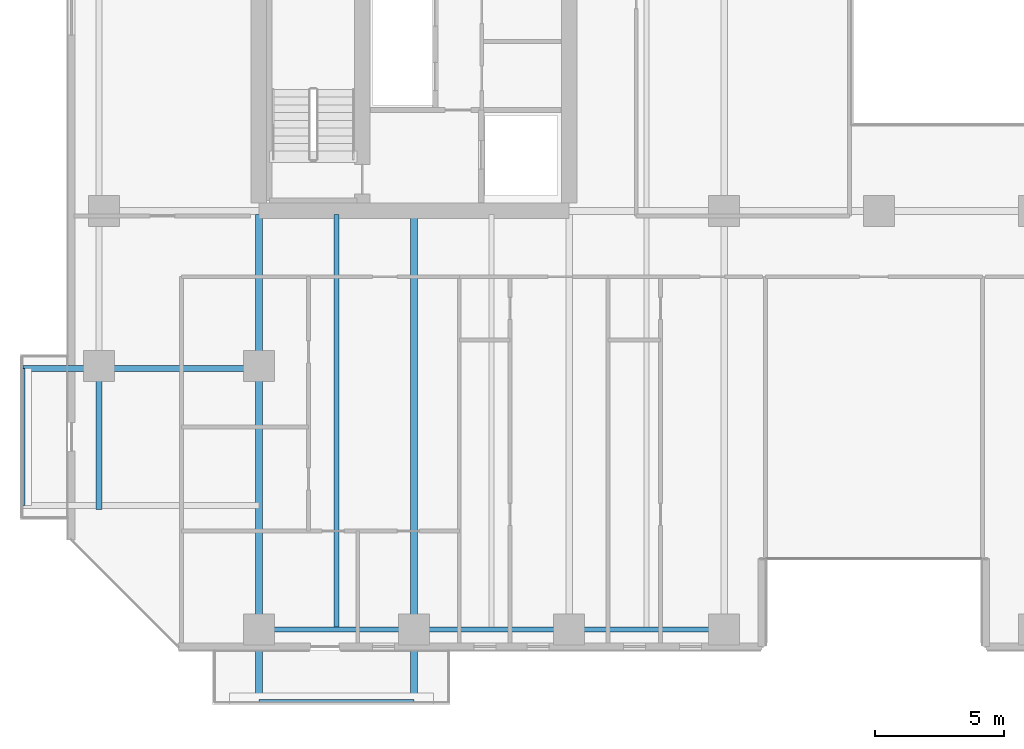
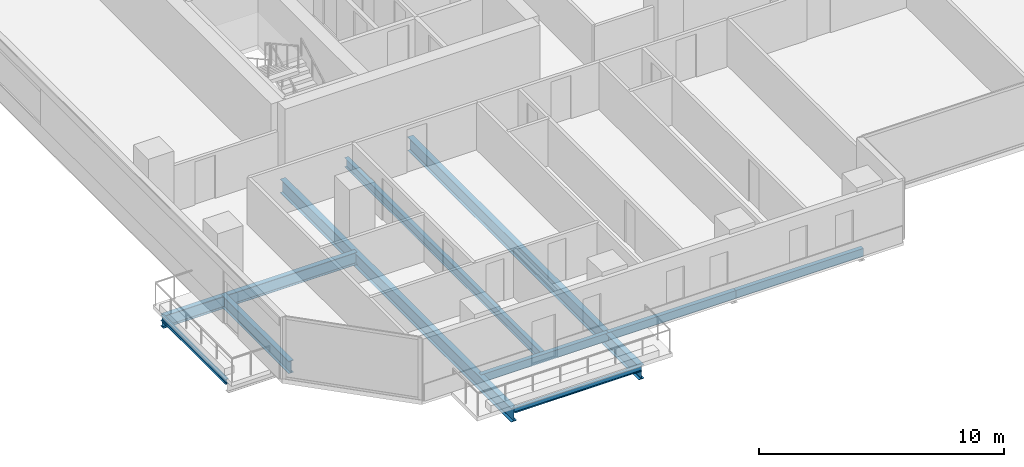
# One storey, part 3 of 33: 10 beams.
"""IFC4 building model written with IfcOpenShell, lengths in metres."""

import ifcopenshell
import ifcopenshell.guid

model = None  # the IFC model being written
_history = None  # IfcOwnerHistory: only IFC2X3 demands one
_inside = {}  # id of a spatial element -> (the spatial element, [elements in it])
_under = {}  # id of a project, library or spatial element -> (it, [spatial elements below it])
_declared = {}  # id of a project -> (the project, [libraries it declares])
_typed = {}  # id of a type object -> (the type object, [elements of that type])
_made_of = {}  # id of a material, layer set ... -> (it, [elements and type objects made of it])


def new_model(schema):
    """Start an empty IFC model of exactly this schema.

    Asked for "IFC4X3", IfcOpenShell would pick the latest addendum, in which some entities
    have other attributes; the version numbers below select the first issue.
    IFC2X3 requires an IfcOwnerHistory on every rooted entity: one is made here for all.
    """
    global model, _history
    if schema == "IFC4X3":
        model = ifcopenshell.file(schema_version=(4, 3, 0, 0))
    else:
        model = ifcopenshell.file(schema=schema)
    _inside.clear()
    _under.clear()
    _declared.clear()
    _typed.clear()
    _made_of.clear()
    _history = None
    if model.schema == "IFC2X3":
        org = make("IfcOrganization", Name="unknown")
        user = make(
            "IfcPersonAndOrganization",
            ThePerson=make("IfcPerson", FamilyName="unknown"),
            TheOrganization=org,
        )
        app = make(
            "IfcApplication",
            ApplicationDeveloper=org,
            Version="unknown",
            ApplicationFullName="unknown",
            ApplicationIdentifier="unknown",
        )
        _history = make(
            "IfcOwnerHistory",
            OwningUser=user,
            OwningApplication=app,
            ChangeAction="ADDED",
            CreationDate=0,
        )
    return model


def make(cls, **values):
    """One entity of the class cls with the attributes given. An attribute that is None is left unset."""
    return model.create_entity(
        cls, **{name: value for name, value in values.items() if value is not None}
    )


def rooted(cls, **values):
    """An entity with a GlobalId (a new one), such as an element, a storey or a relation."""
    return make(cls, GlobalId=ifcopenshell.guid.new(), OwnerHistory=_history, **values)


def si_unit(unit_type, name, prefix=None):
    """IfcSIUnit, for example si_unit("LENGTHUNIT", "METRE", prefix="MILLI")."""
    return make("IfcSIUnit", UnitType=unit_type, Prefix=prefix, Name=name)


def assignment(units):
    """IfcUnitAssignment: the units of a project."""
    return None if units is None else make("IfcUnitAssignment", Units=units)


def point(xyz):
    """IfcCartesianPoint."""
    return None if xyz is None else make("IfcCartesianPoint", Coordinates=xyz)


def direction(xyz):
    """IfcDirection."""
    return None if xyz is None else make("IfcDirection", DirectionRatios=xyz)


def frame(location, z_axis=None, x_axis=None):
    """IfcAxis2Placement3D, a coordinate frame: its origin and axes. An axis left out is left unset."""
    return make(
        "IfcAxis2Placement3D",
        Location=point(location),
        Axis=direction(z_axis),
        RefDirection=direction(x_axis),
    )


def frame_2d(location, x_axis=None):
    """IfcAxis2Placement2D, a coordinate frame in the plane: its origin and x axis."""
    return make(
        "IfcAxis2Placement2D", Location=point(location), RefDirection=direction(x_axis)
    )


def origin():
    """The frame at (0, 0, 0) with its axes left unset."""
    return frame((0.0, 0.0, 0.0))


def origin_2d():
    """The frame at (0, 0) in the plane with its x axis left unset."""
    return frame_2d((0.0, 0.0))


def place(relative_to, where):
    """IfcLocalPlacement: puts the frame where relative to a parent placement (None: the world)."""
    return make(
        "IfcLocalPlacement", PlacementRelTo=relative_to, RelativePlacement=where
    )


def context(
    kind, dimensions, precision=None, world=None, true_north=None, identifier=None
):
    """IfcGeometricRepresentationContext, for example the 3D "Model" context."""
    return make(
        "IfcGeometricRepresentationContext",
        ContextIdentifier=identifier,
        ContextType=kind,
        CoordinateSpaceDimension=dimensions,
        Precision=precision,
        WorldCoordinateSystem=world,
        TrueNorth=true_north,
    )


def subcontext(parent, identifier, kind, view, scale=None):
    """IfcGeometricRepresentationSubContext, for example "Body" below "Model"."""
    return make(
        "IfcGeometricRepresentationSubContext",
        ContextIdentifier=identifier,
        ContextType=kind,
        ParentContext=parent,
        TargetScale=scale,
        TargetView=view,
    )


def project(units=None, contexts=None):
    """IfcProject with its units and contexts."""
    return rooted(
        "IfcProject",
        Name="project",
        RepresentationContexts=contexts,
        UnitsInContext=assignment(units),
    )


def spatial(cls, under=None, at=None, **own):
    """A site, building, storey or space (cls), placed at a placement, below another one or the project."""
    s = rooted(cls, ObjectPlacement=at, **own)
    if under is not None:
        _under.setdefault(under.id(), (under, []))[1].append(s)
    return s


def profile(cls, at=None, kind="AREA", **sizes):
    """A parametric profile (cls). Its sizes go by their IFC names, for example OverallWidth=200.0."""
    return make(cls, ProfileType=kind, Position=at, **sizes)


def hollow_rectangle(**sizes):
    """IfcRectangleHollowProfileDef."""
    return profile("IfcRectangleHollowProfileDef", **sizes)


def i_section(**sizes):
    """IfcIShapeProfileDef."""
    return profile("IfcIShapeProfileDef", **sizes)


def extrude(swept, where, along, depth):
    """IfcExtrudedAreaSolid: the profile swept, set in the frame where, extruded along a direction by depth."""
    return make(
        "IfcExtrudedAreaSolid",
        SweptArea=swept,
        Position=where,
        ExtrudedDirection=direction(along),
        Depth=depth,
    )


def shape(context_of_items, identifier, shape_type, items):
    """IfcShapeRepresentation: the items that make up one representation, for example the "Body"."""
    return make(
        "IfcShapeRepresentation",
        ContextOfItems=context_of_items,
        RepresentationIdentifier=identifier,
        RepresentationType=shape_type,
        Items=items,
    )


def material(Name=None, Category=None):
    """IfcMaterial."""
    return make("IfcMaterial", Name=Name, Category=Category)


def material_profile(
    of_material, cross_section, Name=None, Category=None, Priority=None
):
    """IfcMaterialProfile: a cross section and its material."""
    return make(
        "IfcMaterialProfile",
        Name=Name,
        Material=of_material,
        Profile=cross_section,
        Priority=Priority,
        Category=Category,
    )


def profile_set(profiles, Name=None, composite=None):
    """IfcMaterialProfileSet."""
    return make(
        "IfcMaterialProfileSet",
        Name=Name,
        MaterialProfiles=profiles,
        CompositeProfile=composite,
    )


def made_of(thing, what):
    """Note that an element or type object is made of a material, layer set ...; save() writes the relation."""
    if what is not None:
        _made_of.setdefault(what.id(), (what, []))[1].append(thing)
    return thing


def type_object(cls, material=None, **own):
    """A type object (cls), such as IfcWallType, which elements share."""
    return made_of(rooted(cls, **own), material)


def element(
    cls,
    number,
    at=None,
    inside=None,
    cuts=None,
    type_object=None,
    material=None,
    context=None,
    identifier="Body",
    shape_type=None,
    held_by="IfcProductDefinitionShape",
    body=None,
    shapes=None,
    **own,
):
    """One element of the class cls, such as IfcWall. Its Tag is "e" and its number.

    at: its placement. inside: the storey or other place that contains it. cuts: it is an
    opening in that element (IfcRelVoidsElement). A single representation is given by context,
    identifier, shape_type and body (its items); several are given by shapes. held_by: the class
    of the entity that holds the representations. save() writes the other relations.
    """
    e = rooted(cls, Tag="e%d" % number, ObjectPlacement=at, **own)
    if body is not None:
        shapes = [shape(context, identifier, shape_type, body)]
    if shapes is not None:
        e.Representation = make(held_by, Representations=shapes)
    if inside is not None:
        _inside.setdefault(inside.id(), (inside, []))[1].append(e)
    if cuts is not None:
        rooted(
            "IfcRelVoidsElement", RelatingBuildingElement=cuts, RelatedOpeningElement=e
        )
    if type_object is not None:
        _typed.setdefault(type_object.id(), (type_object, []))[1].append(e)
    return made_of(e, material)


def aggregate(whole, parts):
    """IfcRelAggregates: a whole, such as a stair, and the parts it consists of."""
    return rooted("IfcRelAggregates", RelatingObject=whole, RelatedObjects=parts)


def save(model, path):
    """Write the relations noted so far, then the file.

    IfcRelAggregates (storeys below a building ...), IfcRelContainedInSpatialStructure (elements
    in a storey), IfcRelDefinesByType, IfcRelAssociatesMaterial and IfcRelDeclares: one each for
    every whole, place, type object, material and project.
    """
    for whole, parts in _under.values():
        aggregate(whole, parts)
    for where, things in _inside.values():
        rooted(
            "IfcRelContainedInSpatialStructure",
            RelatedElements=things,
            RelatingStructure=where,
        )
    for kind, things in _typed.values():
        rooted("IfcRelDefinesByType", RelatedObjects=things, RelatingType=kind)
    for what, things in _made_of.values():
        rooted("IfcRelAssociatesMaterial", RelatedObjects=things, RelatingMaterial=what)
    for by, libraries in _declared.values():
        rooted("IfcRelDeclares", RelatingContext=by, RelatedDefinitions=libraries)
    model.write(path)


model = new_model("IFC4")

# Units and contexts
model_context = context("Model", 3, precision=1e-05, world=origin(), true_north=direction((0.0, 1.0)))
body_context = subcontext(model_context, "Body", "Model", "MODEL_VIEW")
ifc_project = project(units=[si_unit("LENGTHUNIT", "METRE"), si_unit("AREAUNIT", "SQUARE_METRE"), si_unit("VOLUMEUNIT", "CUBIC_METRE"), si_unit("PLANEANGLEUNIT", "RADIAN"), si_unit("MASSUNIT", "GRAM", prefix="KILO")], contexts=[model_context])

# Site, building, storey
site_placement = place(None, origin())
site = spatial("IfcSite", under=ifc_project, at=site_placement, CompositionType="ELEMENT")
building_placement = place(site_placement, origin())
building = spatial("IfcBuilding", under=site, at=building_placement, Name="Tanjung Sevakor Pilgrim Tower", CompositionType="ELEMENT")
storey_placement = place(building_placement, frame((0.0, 0.0, 32.340087890625)))
storey = spatial("IfcBuildingStorey", under=building, at=storey_placement, Name="L08", CompositionType="ELEMENT", Elevation=32.340087890625)

# Beams
ifc_material_1 = material(Name="Steel S355J2", Category="steel")
ifc_material_profile_1 = material_profile(ifc_material_1, i_section(OverallWidth=0.25439453125, OverallDepth=0.6875, WebThickness=0.01318359375, FlangeThickness=0.02099609375, FilletRadius=0.01513671875, at=origin_2d()))
ifc_profile_set_1 = profile_set([ifc_material_profile_1], Name="Steel S355J2")
beam_type_1 = type_object("IfcBeamType", Name="BM-B-G2-UB_686x254x152", PredefinedType="BEAM", material=ifc_profile_set_1)
for number, where, z_axis, x_axis, name in (
    (1, (24.0, 24.466064453125, -0.56396484375), (0.0, -1.0, 0.0), (1.0, 0.0, 0.0), "L08 Balcony Cantilever Beam MAIN-S1-1"),
    (2, (30.0, 24.466064453125, -0.56396484375), (0.0, -1.0, 0.0), (1.0, 0.0, 0.0), "L08 Balcony Cantilever Beam MAIN-S1-2"),
):
    element("IfcBeam", number, at=place(storey_placement, frame(where, z_axis=z_axis, x_axis=x_axis)), inside=storey, type_object=beam_type_1, Name=name, PredefinedType="BEAM", context=body_context, shape_type="SweptSolid", body=[
        extrude(i_section(OverallWidth=0.25439453125, OverallDepth=0.6875, WebThickness=0.01318359375, FlangeThickness=0.02099609375, FilletRadius=0.01513671875, at=origin_2d()), origin(), (0.0, 0.0, 1.0), 18.845947265625),
    ])
ifc_material_2 = material(Name="Steel S355J2", Category="steel")
ifc_material_profile_2 = material_profile(ifc_material_2, i_section(OverallWidth=0.22900390625, OverallDepth=0.6123046875, WebThickness=0.011962890625, FlangeThickness=0.01953125, FilletRadius=0.0126953125, at=origin_2d()))
ifc_profile_set_2 = profile_set([ifc_material_profile_2], Name="Steel S355J2")
beam_type_2 = type_object("IfcBeamType", Name="BM-B-G4-UB_610x229x125", PredefinedType="BEAM", material=ifc_profile_set_2)
beam_1_placement = place(storey_placement, frame((17.800048828125, 18.60009765625, -0.526123046875), z_axis=(0.0, -1.0, 0.0), x_axis=(1.0, 0.0, 0.0)))
element("IfcBeam", 3, at=beam_1_placement, inside=storey, type_object=beam_type_2, Name="L08 Short-End Edge Extension S-W", PredefinedType="BEAM", context=body_context, shape_type="SweptSolid", body=[
    extrude(i_section(OverallWidth=0.22900390625, OverallDepth=0.6123046875, WebThickness=0.011962890625, FlangeThickness=0.01953125, FilletRadius=0.0126953125, at=origin_2d()), origin(), (0.0, 0.0, 1.0), 5.550048828125),
])
beam_2_placement = place(storey_placement, frame((24.0, 18.5, -0.526123046875), z_axis=(-1.0, 0.0, 0.0), x_axis=(0.0, -1.0, 0.0)))
element("IfcBeam", 4, at=beam_2_placement, inside=storey, type_object=beam_type_2, Name="L08 Balcony Overhanging Beam MAIN-W1-2", PredefinedType="BEAM", context=body_context, shape_type="SweptSolid", body=[
    extrude(i_section(OverallWidth=0.22900390625, OverallDepth=0.6123046875, WebThickness=0.011962890625, FlangeThickness=0.01953125, FilletRadius=0.0126953125, at=origin_2d()), origin(), (0.0, 0.0, 1.0), 9.1298828125),
])
ifc_material_3 = material(Name="Steel S355J2", Category="steel")
ifc_material_profile_3 = material_profile(ifc_material_3, i_section(OverallWidth=0.19140625, OverallDepth=0.4599609375, WebThickness=0.010009765625, FlangeThickness=0.01611328125, FilletRadius=0.01025390625, at=origin_2d()))
ifc_profile_set_3 = profile_set([ifc_material_profile_3], Name="Steel S355J2")
beam_type_3 = type_object("IfcBeamType", Name="BM-B-J2-UB_457x191x82", PredefinedType="JOIST", material=ifc_profile_set_3)
beam_3_placement = place(storey_placement, frame((27.0, 8.5, -0.4501953125), z_axis=(0.0, 1.0, 0.0), x_axis=(-1.0, 0.0, 0.0)))
element("IfcBeam", 5, at=beam_3_placement, inside=storey, type_object=beam_type_3, Name="L08 MAIN Joist 001", PredefinedType="JOIST", context=body_context, shape_type="SweptSolid", body=[
    extrude(i_section(OverallWidth=0.19140625, OverallDepth=0.4599609375, WebThickness=0.010009765625, FlangeThickness=0.01611328125, FilletRadius=0.01025390625, at=origin_2d()), origin(), (0.0, 0.0, 1.0), 15.966064453125),
])
ifc_material_4 = material(Name="Steel S355J2", Category="steel")
ifc_material_profile_4 = material_profile(ifc_material_4, i_section(OverallWidth=0.146484375, OverallDepth=0.256103515625, WebThickness=0.00634765625, FlangeThickness=0.010986328125, FilletRadius=0.007568359375, at=origin_2d()))
ifc_profile_set_4 = profile_set([ifc_material_profile_4], Name="Steel S355J2")
beam_type_4 = type_object("IfcBeamType", Name="BM-B-J6-UB_254x146x37", PredefinedType="JOIST", material=ifc_profile_set_4)
beam_4_placement = place(storey_placement, frame((24.0, 5.6201171875, -0.328125), z_axis=(1.0, 0.0, 0.0), x_axis=(0.0, 1.0, 0.0)))
element("IfcBeam", 6, at=beam_4_placement, inside=storey, type_object=beam_type_4, Name="L08 Balcony Rim Tie MAIN-S1", PredefinedType="JOIST", context=body_context, shape_type="SweptSolid", body=[
    extrude(i_section(OverallWidth=0.146484375, OverallDepth=0.256103515625, WebThickness=0.00634765625, FlangeThickness=0.010986328125, FilletRadius=0.007568359375, at=origin_2d()), origin(), (0.0, 0.0, 1.0), 6.0),
])
beam_5_placement = place(storey_placement, frame((14.8701171875, 13.199951171875, -0.328125), z_axis=(0.0, 1.0, 0.0), x_axis=(-1.0, 0.0, 0.0)))
element("IfcBeam", 7, at=beam_5_placement, inside=storey, type_object=beam_type_4, Name="L08 Balcony Rim Tie MAIN-W1", PredefinedType="JOIST", context=body_context, shape_type="SweptSolid", body=[
    extrude(i_section(OverallWidth=0.146484375, OverallDepth=0.256103515625, WebThickness=0.00634765625, FlangeThickness=0.010986328125, FilletRadius=0.007568359375, at=origin_2d()), origin(), (0.0, 0.0, 1.0), 5.300048828125),
])
ifc_material_5 = material(Name="Steel S355J2", Category="steel")
ifc_material_profile_5 = material_profile(ifc_material_5, hollow_rectangle(XDim=0.199951171875, YDim=0.39990234375, WallThickness=0.01611328125, at=origin_2d()))
ifc_profile_set_5 = profile_set([ifc_material_profile_5], Name="Steel S355J2")
beam_type_5 = type_object("IfcBeamType", Name="BM-B-SP2-RHS_400x200x16", PredefinedType="SPANDREL", material=ifc_profile_set_5)
for number, where, z_axis, x_axis, name in (
    (8, (24.0, 8.39990234375, -0.420166015625), (1.0, 0.0, 0.0), (0.0, 1.0, 0.0), "L08 Spandrel MAIN S-01"),
    (9, (30.0, 8.39990234375, -0.420166015625), (1.0, 0.0, 0.0), (0.0, 1.0, 0.0), "L08 Spandrel MAIN S-03"),
    (10, (36.0, 8.39990234375, -0.420166015625), (1.0, 0.0, 0.0), (0.0, 1.0, 0.0), "L08 Spandrel MAIN S-05"),
):
    element("IfcBeam", number, at=place(storey_placement, frame(where, z_axis=z_axis, x_axis=x_axis)), inside=storey, type_object=beam_type_5, Name=name, PredefinedType="SPANDREL", context=body_context, shape_type="SweptSolid", body=[
        extrude(hollow_rectangle(XDim=0.199951171875, YDim=0.39990234375, WallThickness=0.01611328125, at=origin_2d()), origin(), (0.0, 0.0, 1.0), 6.0),
    ])

save(model, "model.ifc")
